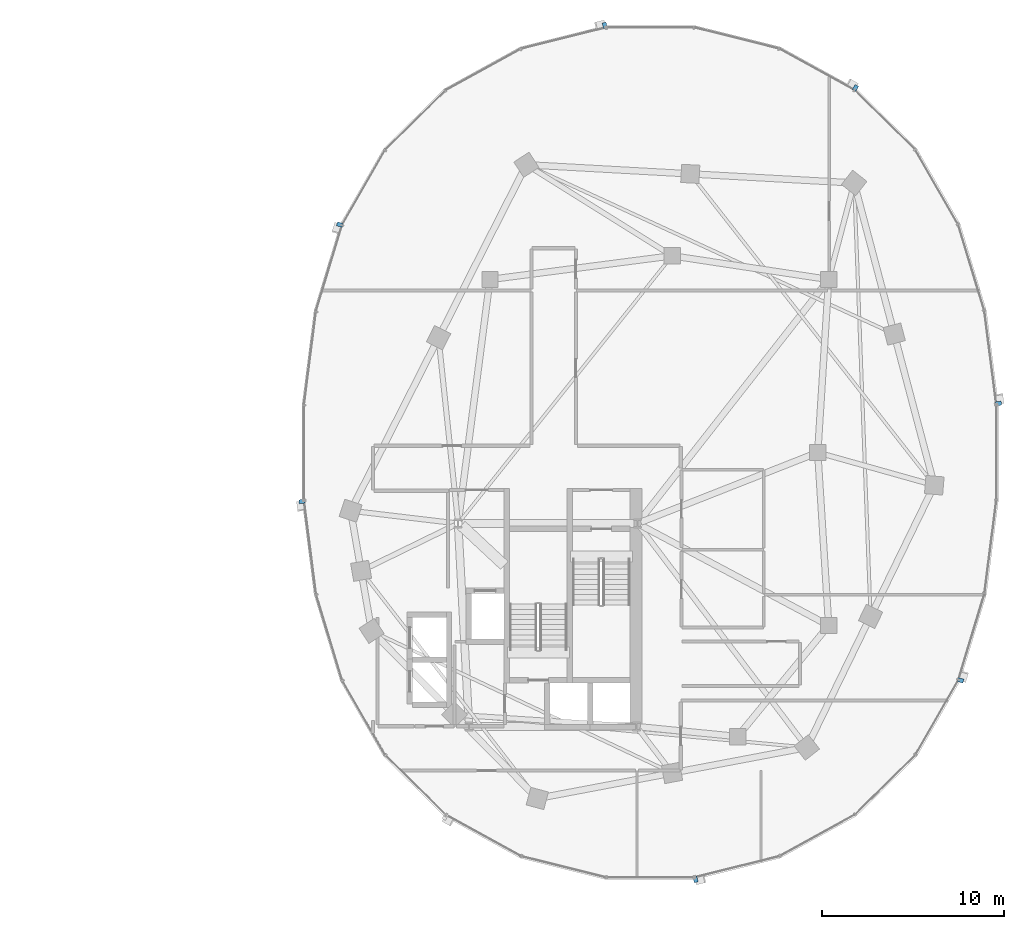
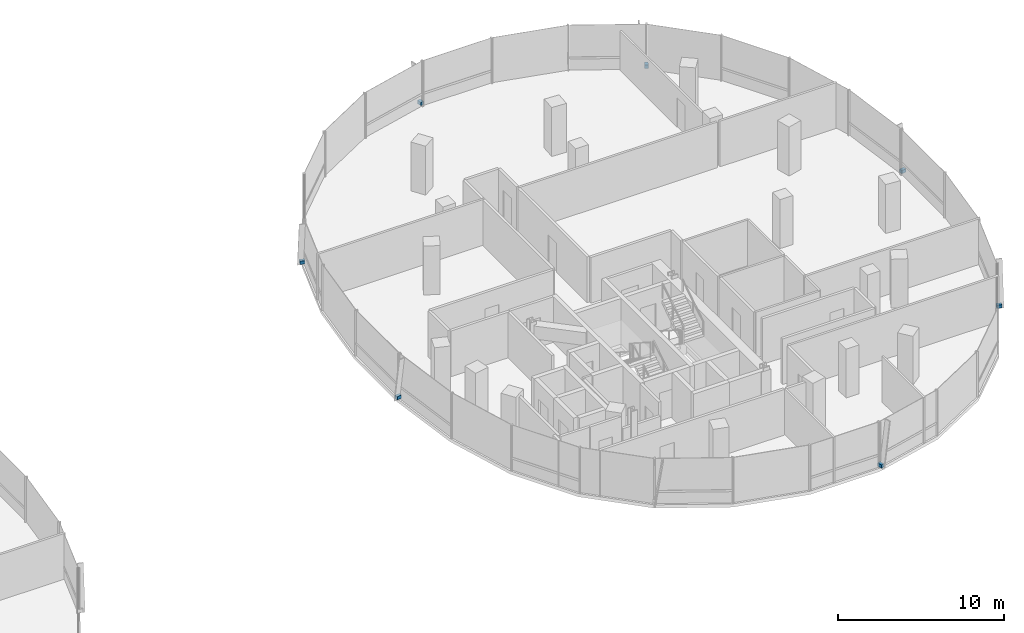
# One storey, part 17 of 22: 7 discrete accessories.
"""IFC4 building model written with IfcOpenShell, lengths in metres."""

from ifc_helpers import new_model, si_unit, direction, frame, origin, origin_2d, place, context, subcontext, project, spatial, rectangle, extrude, material, type_object, element, save


model = new_model("IFC4")

# Units and contexts
model_context = context("Model", 3, precision=1e-05, world=origin(), true_north=direction((0.0, 1.0)))
body_context = subcontext(model_context, "Body", "Model", "MODEL_VIEW")
ifc_project = project(units=[si_unit("LENGTHUNIT", "METRE"), si_unit("AREAUNIT", "SQUARE_METRE"), si_unit("VOLUMEUNIT", "CUBIC_METRE"), si_unit("PLANEANGLEUNIT", "RADIAN"), si_unit("MASSUNIT", "GRAM", prefix="KILO"), si_unit("THERMODYNAMICTEMPERATUREUNIT", "KELVIN"), si_unit("POWERUNIT", "WATT")], contexts=[model_context])

# Site, building, storey
site_placement = place(None, origin())
site = spatial("IfcSite", under=ifc_project, at=site_placement, CompositionType="ELEMENT")
building_placement = place(site_placement, origin())
building = spatial("IfcBuilding", under=site, at=building_placement, Name="Cundina Bronze Exchange", CompositionType="ELEMENT")
storey_placement = place(building_placement, frame((0.0, 0.0, 162.0)))
storey = spatial("IfcBuildingStorey", under=building, at=storey_placement, Name="L42", CompositionType="ELEMENT", Elevation=162.0)

# Discrete accessories
ifc_material = material(Name="Anodised Bronze Aluminium 6063-T6", Category="aluminium")
discrete_accessory_type = type_object("IfcDiscreteAccessoryType", Name="ACC-BRK-FIN", PredefinedType="BRACKET", material=ifc_material)
for number, where, z_axis, x_axis, name in (
    (1, (51.125732421875, 2.69189453125, 0.10009765625), (0.0, 0.0, 1.0), (-0.126475984253, 0.9919696696, 0.0), "L42 Fin Support Bracket 1"),
    (2, (43.266845703125, 20.015380859375, 0.10009765625), (0.0, 0.0, 1.0), (-0.875869093438, 0.482548786301, 0.0), "L42 Fin Support Bracket 5"),
    (3, (29.507080078125, 23.44970703125, 0.10009765625), (0.0, 0.0, 1.0), (-0.970092713791, -0.242734683656, 0.0), "L42 Fin Support Bracket 1"),
    (4, (14.9541015625, 12.511962890625, 0.10009765625), (0.0, 0.0, 1.0), (-0.290050843957, -0.957011237092, 0.0), "L42 Fin Support Bracket 5"),
    (5, (12.874267578125, -2.69189453125, 0.10009765625), (0.0, 0.0, 1.0), (0.126475984253, -0.9919696696, 0.0), "L42 Fin Support Bracket 1"),
    (6, (34.492919921875, -23.44970703125, 0.10009765625), (0.0, 0.0, 1.0), (0.970092713791, 0.242734683656, 0.0), "L42 Fin Support Bracket 1"),
    (7, (49.0458984375, -12.511962890625, 0.10009765625), (0.0, 0.0, 1.0), (0.290050843957, 0.957011237092, 0.0), "L42 Fin Support Bracket 5"),
):
    element("IfcDiscreteAccessory", number, at=place(storey_placement, frame(where, z_axis=z_axis, x_axis=x_axis)), inside=storey, type_object=discrete_accessory_type, Name=name, PredefinedType="BRACKET", context=body_context, shape_type="SweptSolid", body=[
        extrude(rectangle(XDim=0.219970703125, YDim=0.320068359375, at=origin_2d()), origin(), (0.0, 0.0, 1.0), 0.239990234375),
    ])

save(model, "model.ifc")
